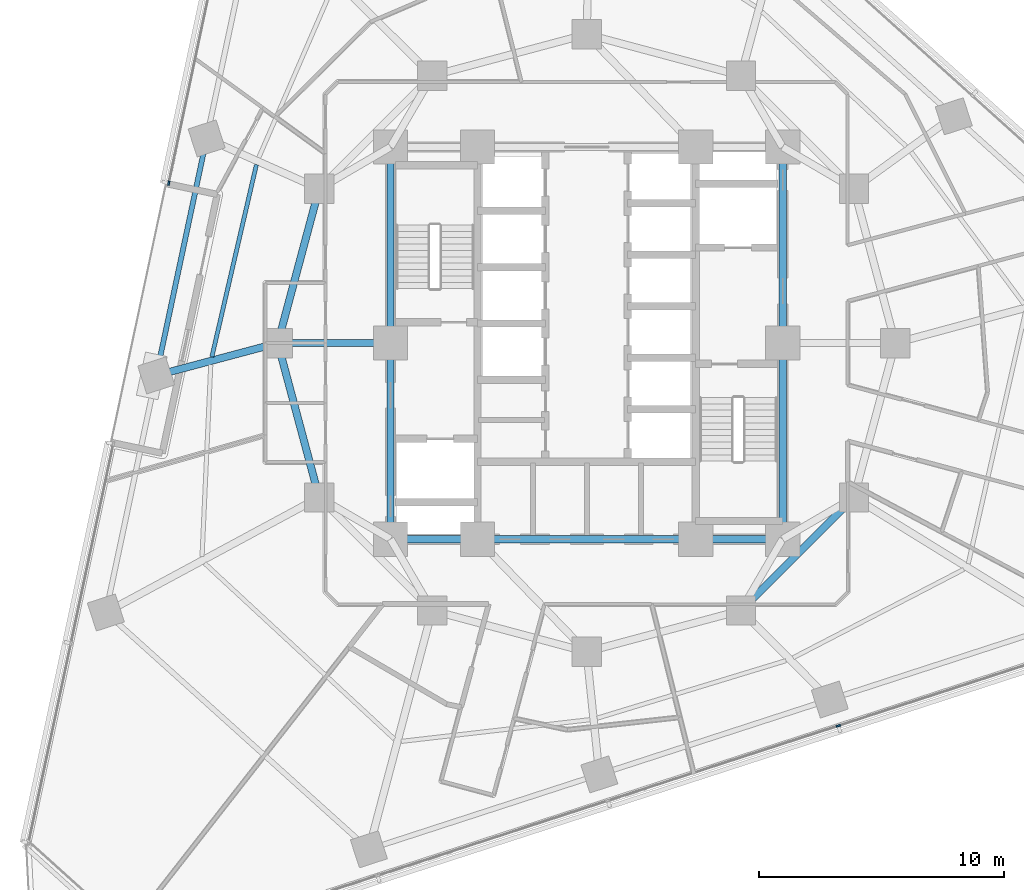
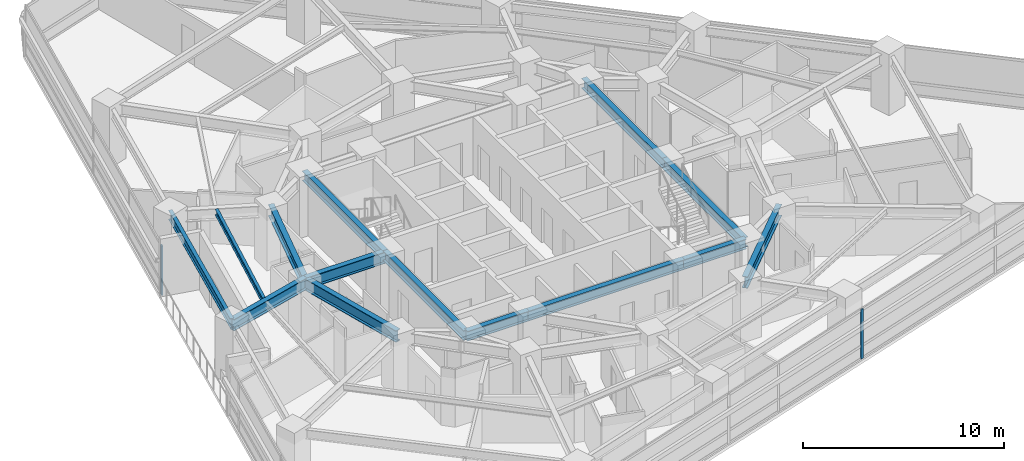
# One storey, part 3 of 14: 14 beams, 2 members, 2 elements without a shape of their own.
"""IFC4 building model written with IfcOpenShell, lengths in metres."""

from ifc_helpers import new_model, si_unit, direction, frame, origin, origin_2d, place, context, subcontext, project, spatial, rectangle, i_section, extrude, material, layer, layer_set, material_profile, profile_set, type_object, element, aggregate, save


model = new_model("IFC4")

# Units and contexts
model_context = context("Model", 3, precision=1e-05, world=origin(), true_north=direction((0.0, 1.0)))
body_context = subcontext(model_context, "Body", "Model", "MODEL_VIEW")
ifc_project = project(units=[si_unit("LENGTHUNIT", "METRE"), si_unit("AREAUNIT", "SQUARE_METRE"), si_unit("VOLUMEUNIT", "CUBIC_METRE"), si_unit("PLANEANGLEUNIT", "RADIAN"), si_unit("MASSUNIT", "GRAM", prefix="KILO")], contexts=[model_context])

# Site, building, storey
site_placement = place(None, origin())
site = spatial("IfcSite", under=ifc_project, at=site_placement, CompositionType="ELEMENT")
building_placement = place(site_placement, origin())
building = spatial("IfcBuilding", under=site, at=building_placement, Name="Terralouvre Media Tower", CompositionType="ELEMENT")
storey_placement = place(building_placement, frame((0.0, 0.0, 112.5)))
storey = spatial("IfcBuildingStorey", under=building, at=storey_placement, Name="L28", CompositionType="ELEMENT", Elevation=112.5)

# Beam
ifc_material_1 = material(Name="Structural steel S355J2", Category="steel")
ifc_material_profile_1 = material_profile(ifc_material_1, i_section(OverallWidth=0.169921875, OverallDepth=0.360107421875, WebThickness=0.008056640625, FlangeThickness=0.0126953125, at=origin_2d()), Name="IPE 360")
ifc_profile_set_1 = profile_set([ifc_material_profile_1], Name="Structural steel S355J2")
beam_type_1 = type_object("IfcBeamType", Name="Composite Floor Joist J-IPE360 (IPE 360)", PredefinedType="JOIST", material=ifc_profile_set_1)
beam_1_placement = place(storey_placement, frame((-13.47216796875, 7.28076171875, 3.320068359375), z_axis=(-0.225820426646, -0.974168945774, 0.0), x_axis=(0.974168945774, -0.225820426646, 0.0)))
element("IfcBeam", 1, at=beam_1_placement, inside=storey, type_object=beam_type_1, Name="L28 Framing Beam JT-L28-12", PredefinedType="JOIST", context=body_context, shape_type="SweptSolid", body=[
    extrude(i_section(OverallWidth=0.169921875, OverallDepth=0.360107421875, WebThickness=0.008056640625, FlangeThickness=0.0126953125, at=origin_2d()), origin(), (0.0, 0.0, 1.0), 8.05224609375),
])

# Curtain wall, member
ifc_material_2 = material(Name="Low-iron laminated double glazing with solar-control coating", Category="glass")
ifc_layer = layer(ifc_material_2, 0.1650390625, Name="Lower Media Tower Unitised Curtain Wall CW-02")
ifc_layer_set = layer_set([ifc_layer], Name="Low-iron laminated double glazing with solar-control coating")
curtain_wall_type = type_object("IfcCurtainWallType", Name="Lower Media Tower Unitised Curtain Wall CW-02", PredefinedType="NOTDEFINED", material=ifc_layer_set)
curtain_wall_1_placement = place(storey_placement, origin())
curtain_wall_1 = element("IfcCurtainWall", 2, at=curtain_wall_1_placement, inside=storey, type_object=curtain_wall_type, Name="L28 Facade Curtain Wall F0", PredefinedType="NOTDEFINED")
ifc_material_3 = material(Name="Anodised extruded aluminium 6063-T6", Category="aluminium")
ifc_material_profile_2 = material_profile(ifc_material_3, rectangle(XDim=0.074951171875, YDim=0.179931640625, at=origin_2d()), Name="ALU 75x180")
ifc_profile_set_2 = profile_set([ifc_material_profile_2], Name="Anodised extruded aluminium 6063-T6")
member_type = type_object("IfcMemberType", Name="Curtain-Wall Vertical Mullion ML-180", PredefinedType="MULLION", material=ifc_profile_set_2)
member_1_placement = place(storey_placement, frame((10.274169921875, -15.621826171875, 0.0), z_axis=(0.0, 0.0, 1.0), x_axis=(-0.309017015439, 0.951056509451, 0.0)))
member_1 = element("IfcMember", 3, at=member_1_placement, type_object=member_type, Name="CW-02 mullion 4", PredefinedType="MULLION", context=body_context, shape_type="SweptSolid", body=[
    extrude(rectangle(XDim=0.074951171875, YDim=0.179931640625, at=origin_2d()), origin(), (0.0, 0.0, 1.0), 3.0),
])
aggregate(curtain_wall_1, [member_1])

curtain_wall_2_placement = place(storey_placement, origin())
curtain_wall_2 = element("IfcCurtainWall", 4, at=curtain_wall_2_placement, inside=storey, type_object=curtain_wall_type, Name="L28 Left Flank Curtain Wall F2", PredefinedType="NOTDEFINED")
member_2_placement = place(storey_placement, frame((-17.048095703125, 6.524658203125, 0.0), z_axis=(0.0, 0.0, 1.0), x_axis=(0.978147556561, -0.207911898634, 0.0)))
member_2 = element("IfcMember", 5, at=member_2_placement, type_object=member_type, Name="CW-02 mullion 3", PredefinedType="MULLION", context=body_context, shape_type="SweptSolid", body=[
    extrude(rectangle(XDim=0.074951171875, YDim=0.179931640625, at=origin_2d()), origin(), (0.0, 0.0, 1.0), 3.0),
])
aggregate(curtain_wall_2, [member_2])

# Beams
ifc_material_4 = material(Name="Structural steel S355J2", Category="steel")
ifc_material_profile_3 = material_profile(ifc_material_4, i_section(OverallWidth=0.2099609375, OverallDepth=0.550048828125, WebThickness=0.010986328125, FlangeThickness=0.01708984375, at=origin_2d()), Name="IPE 550")
ifc_profile_set_3 = profile_set([ifc_material_profile_3], Name="Structural steel S355J2")
beam_type_2 = type_object("IfcBeamType", Name="Perimeter Spandrel Beam SPB-550 (IPE 550)", PredefinedType="SPANDREL", material=ifc_profile_set_3)
beam_2_placement = place(storey_placement, frame((-15.5048828125, 8.35009765625, 3.22509765625), z_axis=(-0.207920177572, -0.97814579678, 0.0), x_axis=(0.97814579678, -0.207920177572, 0.0)))
element("IfcBeam", 6, at=beam_2_placement, inside=storey, type_object=beam_type_2, Name="L28 Framing Beam BM-L28-PR12", PredefinedType="SPANDREL", context=body_context, shape_type="SweptSolid", body=[
    extrude(i_section(OverallWidth=0.2099609375, OverallDepth=0.550048828125, WebThickness=0.010986328125, FlangeThickness=0.01708984375, at=origin_2d()), origin(), (0.0, 0.0, 1.0), 9.887939453125),
])
ifc_material_5 = material(Name="Structural steel S460M", Category="steel")
ifc_material_profile_4 = material_profile(ifc_material_5, i_section(OverallWidth=0.300048828125, OverallDepth=0.60009765625, WebThickness=0.015380859375, FlangeThickness=0.030029296875, at=origin_2d()), Name="HEB 600")
ifc_profile_set_4 = profile_set([ifc_material_profile_4], Name="Structural steel S460M")
beam_type_3 = type_object("IfcBeamType", Name="Primary Floor Girder B-HEB600 (HEB 600)", PredefinedType="BEAM", material=ifc_profile_set_4)
beam_3_placement = place(storey_placement, frame((-8.0, -8.0, 3.199951171875), z_axis=(1.0, 0.0, 0.0), x_axis=(0.0, 1.0, 0.0)))
element("IfcBeam", 7, at=beam_3_placement, inside=storey, type_object=beam_type_3, Name="L28 Framing Beam BM-L28-CPR01", PredefinedType="BEAM", context=body_context, shape_type="SweptSolid", body=[
    extrude(i_section(OverallWidth=0.300048828125, OverallDepth=0.60009765625, WebThickness=0.015380859375, FlangeThickness=0.030029296875, at=origin_2d()), origin(), (0.0, 0.0, 1.0), 3.550048828125),
])
beam_4_placement = place(storey_placement, frame((-4.449951171875, -8.0, 3.199951171875), z_axis=(1.0, 0.0, 0.0), x_axis=(0.0, 1.0, 0.0)))
element("IfcBeam", 8, at=beam_4_placement, inside=storey, type_object=beam_type_3, Name="L28 Framing Beam BM-L28-CPR02", PredefinedType="BEAM", context=body_context, shape_type="SweptSolid", body=[
    extrude(i_section(OverallWidth=0.300048828125, OverallDepth=0.60009765625, WebThickness=0.015380859375, FlangeThickness=0.030029296875, at=origin_2d()), origin(), (0.0, 0.0, 1.0), 8.89990234375),
])
beam_5_placement = place(storey_placement, frame((4.449951171875, -8.0, 3.199951171875), z_axis=(1.0, 0.0, 0.0), x_axis=(0.0, 1.0, 0.0)))
element("IfcBeam", 9, at=beam_5_placement, inside=storey, type_object=beam_type_3, Name="L28 Framing Beam BM-L28-CPR03", PredefinedType="BEAM", context=body_context, shape_type="SweptSolid", body=[
    extrude(i_section(OverallWidth=0.300048828125, OverallDepth=0.60009765625, WebThickness=0.015380859375, FlangeThickness=0.030029296875, at=origin_2d()), origin(), (0.0, 0.0, 1.0), 3.550048828125),
])
for number, where, z_axis, x_axis, name in (
    (10, (8.0, -8.0, 3.199951171875), (0.0, 1.0, 0.0), (-1.0, 0.0, 0.0), "L28 Framing Beam BM-L28-CPR04"),
    (11, (8.0, 0.0, 3.199951171875), (0.0, 1.0, 0.0), (-1.0, 0.0, 0.0), "L28 Framing Beam BM-L28-CPR05"),
    (12, (-8.0, 8.0, 3.199951171875), (0.0, -1.0, 0.0), (1.0, 0.0, 0.0), "L28 Framing Beam BM-L28-CPR09"),
    (13, (-8.0, 0.0, 3.199951171875), (0.0, -1.0, 0.0), (1.0, 0.0, 0.0), "L28 Framing Beam BM-L28-CPR10"),
):
    element("IfcBeam", number, at=place(storey_placement, frame(where, z_axis=z_axis, x_axis=x_axis)), inside=storey, type_object=beam_type_3, Name=name, PredefinedType="BEAM", context=body_context, shape_type="SweptSolid", body=[
        extrude(i_section(OverallWidth=0.300048828125, OverallDepth=0.60009765625, WebThickness=0.015380859375, FlangeThickness=0.030029296875, at=origin_2d()), origin(), (0.0, 0.0, 1.0), 8.0),
    ])
ifc_material_6 = material(Name="Structural steel S460M", Category="steel")
ifc_material_profile_5 = material_profile(ifc_material_6, i_section(OverallWidth=0.300048828125, OverallDepth=0.699951171875, WebThickness=0.01708984375, FlangeThickness=0.031982421875, at=origin_2d()), Name="HEB 700")
ifc_profile_set_5 = profile_set([ifc_material_profile_5], Name="Structural steel S460M")
beam_type_4 = type_object("IfcBeamType", Name="Primary Floor Girder B-HEB700 (HEB 700)", PredefinedType="BEAM", material=ifc_profile_set_5)
beam_6_placement = place(storey_placement, frame((6.300048828125, -10.911865234375, 3.14990234375), z_axis=(0.707106781187, 0.707106781187, 0.0), x_axis=(-0.707106781187, 0.707106781187, 0.0)))
element("IfcBeam", 14, at=beam_6_placement, inside=storey, type_object=beam_type_4, Name="L28 Framing Beam BM-L28-MR04", PredefinedType="BEAM", context=body_context, shape_type="SweptSolid", body=[
    extrude(i_section(OverallWidth=0.300048828125, OverallDepth=0.699951171875, WebThickness=0.01708984375, FlangeThickness=0.031982421875, at=origin_2d()), origin(), (0.0, 0.0, 1.0), 6.52197265625),
])
for number, where, z_axis, x_axis, name in (
    (15, (-10.911865234375, 6.300048828125, 3.14990234375), (-0.258838989821, -0.965920481897, 0.0), (0.965920481897, -0.258838989821, 0.0), "L28 Framing Beam BM-L28-MR11"),
    (16, (-12.60009765625, 0.0, 3.14990234375), (0.258838989821, -0.965920481897, 0.0), (0.965920481897, 0.258838989821, 0.0), "L28 Framing Beam BM-L28-MR12"),
):
    element("IfcBeam", number, at=place(storey_placement, frame(where, z_axis=z_axis, x_axis=x_axis)), inside=storey, type_object=beam_type_4, Name=name, PredefinedType="BEAM", context=body_context, shape_type="SweptSolid", body=[
        extrude(i_section(OverallWidth=0.300048828125, OverallDepth=0.699951171875, WebThickness=0.01708984375, FlangeThickness=0.031982421875, at=origin_2d()), origin(), (0.0, 0.0, 1.0), 6.522216796875),
    ])
beam_7_placement = place(storey_placement, frame((-8.0, 0.0, 3.14990234375), z_axis=(-1.0, 0.0, 0.0), x_axis=(0.0, -1.0, 0.0)))
element("IfcBeam", 17, at=beam_7_placement, inside=storey, type_object=beam_type_4, Name="L28 Framing Beam BM-L28-CM12", PredefinedType="BEAM", context=body_context, shape_type="SweptSolid", body=[
    extrude(i_section(OverallWidth=0.300048828125, OverallDepth=0.699951171875, WebThickness=0.01708984375, FlangeThickness=0.031982421875, at=origin_2d()), origin(), (0.0, 0.0, 1.0), 4.60009765625),
])
beam_8_placement = place(storey_placement, frame((-12.60009765625, 0.0, 3.14990234375), z_axis=(-0.966287014212, -0.257467291449, 0.0), x_axis=(0.257467291449, -0.966287014212, 0.0)))
element("IfcBeam", 18, at=beam_8_placement, inside=storey, type_object=beam_type_4, Name="L28 Framing Beam BM-L28-RD01", PredefinedType="BEAM", context=body_context, shape_type="SweptSolid", body=[
    extrude(i_section(OverallWidth=0.300048828125, OverallDepth=0.699951171875, WebThickness=0.01708984375, FlangeThickness=0.031982421875, at=origin_2d()), origin(), (0.0, 0.0, 1.0), 5.1337890625),
])

save(model, "model.ifc")
